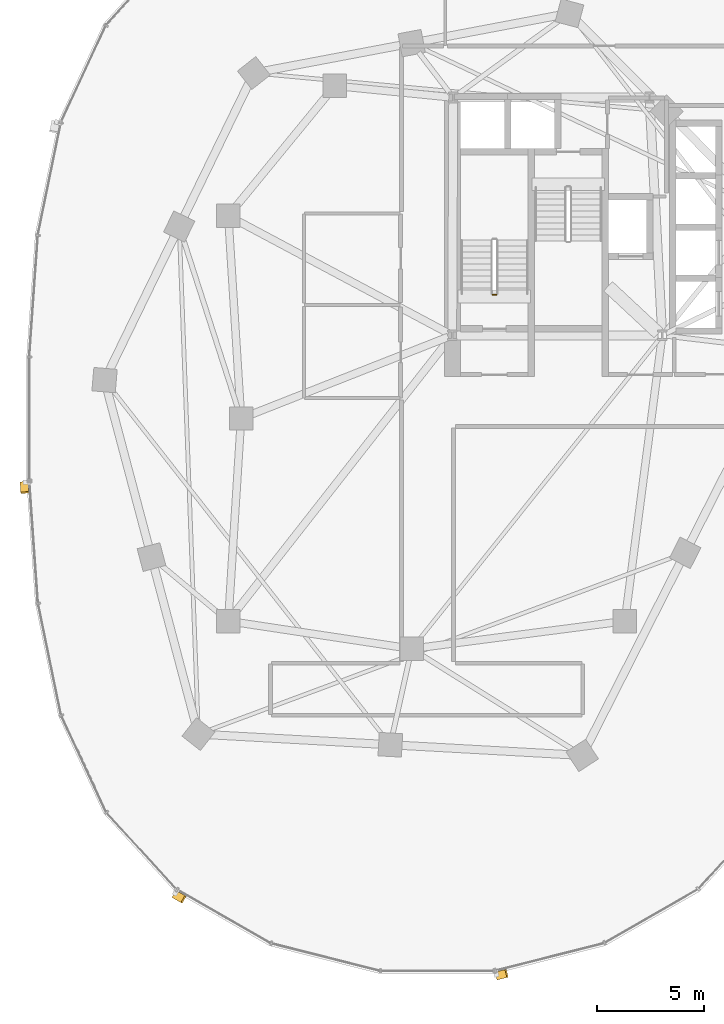
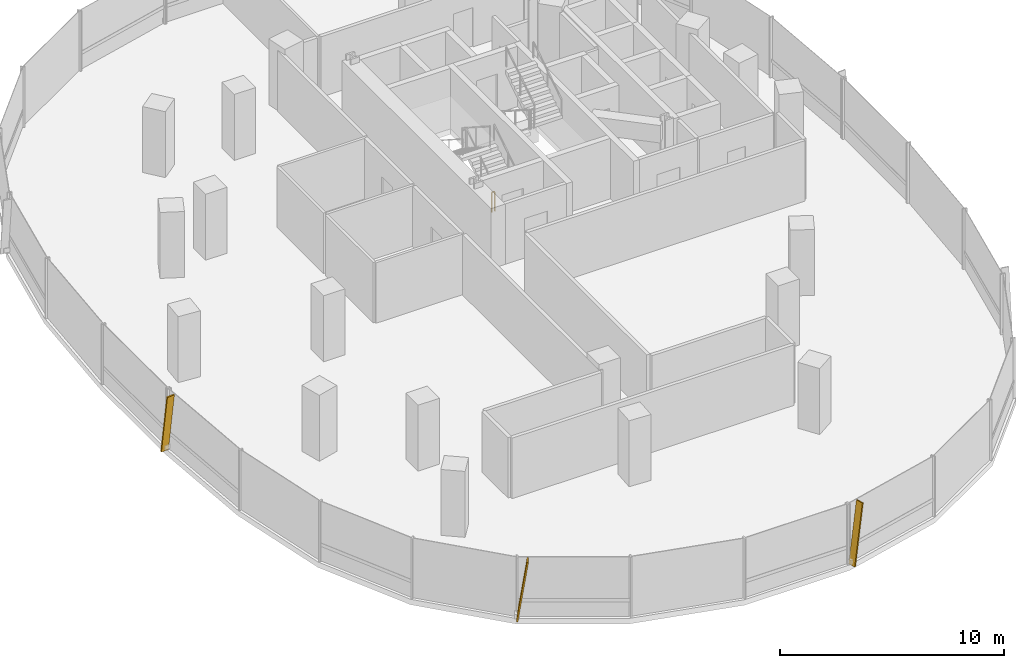
# One storey, part 16 of 20: 3 shading devices, 1 railing.
"""IFC4 building model written with IfcOpenShell, lengths in metres."""

from ifc_helpers import new_model, si_unit, direction, frame, origin, origin_2d, place, context, subcontext, project, spatial, rectangle, extrude, material, material_profile, profile_set, type_object, element, save


model = new_model("IFC4")

# Units and contexts
model_context = context("Model", 3, precision=1e-05, world=origin(), true_north=direction((0.0, 1.0)))
body_context = subcontext(model_context, "Body", "Model", "MODEL_VIEW")
ifc_project = project(units=[si_unit("LENGTHUNIT", "METRE"), si_unit("AREAUNIT", "SQUARE_METRE"), si_unit("VOLUMEUNIT", "CUBIC_METRE"), si_unit("PLANEANGLEUNIT", "RADIAN"), si_unit("MASSUNIT", "GRAM", prefix="KILO"), si_unit("THERMODYNAMICTEMPERATUREUNIT", "KELVIN"), si_unit("POWERUNIT", "WATT")], contexts=[model_context])

# Site, building, storey
site_placement = place(None, origin())
site = spatial("IfcSite", under=ifc_project, at=site_placement, CompositionType="ELEMENT")
building_placement = place(site_placement, origin())
building = spatial("IfcBuilding", under=site, at=building_placement, Name="Cundina Bronze Exchange", CompositionType="ELEMENT")
storey_placement = place(building_placement, frame((0.0, 0.0, 125.0)))
storey = spatial("IfcBuildingStorey", under=building, at=storey_placement, Name="L32", CompositionType="ELEMENT", Elevation=125.0)

# Railing
ifc_material_1 = material(Name="Steel ASTM A36 Painted", Category="steel")
railing_type = type_object("IfcRailingType", Name="RLG-STG-1100", PredefinedType="GUARDRAIL", material=ifc_material_1)
railing_placement = place(storey_placement, frame((-29.239990234375, 5.800048828125, 0.0)))
element("IfcRailing", 1, at=railing_placement, inside=storey, type_object=railing_type, Name="L32 ST-W1 stair guard 4", PredefinedType="GUARDRAIL", context=body_context, shape_type="SweptSolid", body=[
    extrude(rectangle(XDim=0.048095703125, YDim=0.048095703125, at=origin_2d()), frame((0.0, 0.0, 1.076171875), z_axis=(-1.0, 0.0, 0.0), x_axis=(0.0, -1.0, 0.0)), (0.0, 0.0, 1.0), 0.159912109375),
    extrude(rectangle(XDim=0.0419921875, YDim=0.0419921875, at=origin_2d()), origin(), (0.0, 0.0, 1.0), 1.052001953125),
    extrude(rectangle(XDim=0.0419921875, YDim=0.0419921875, at=origin_2d()), frame((-0.159912109375, 0.0, 0.0)), (0.0, 0.0, 1.0), 1.052001953125),
])

# Shading devices
ifc_material_2 = material(Name="Anodised Bronze Aluminium 6063-T6", Category="aluminium")
ifc_material_profile = material_profile(ifc_material_2, rectangle(XDim=0.070068359375, YDim=0.3798828125, at=origin_2d()), Name="FIN70X380", Category="aluminium")
ifc_profile_set = profile_set([ifc_material_profile], Name="Anodised Bronze Aluminium 6063-T6")
shading_device_type = type_object("IfcShadingDeviceType", Name="SHD-FIN-BRZ380", PredefinedType="USERDEFINED", material=ifc_profile_set)
for number, where, z_axis, x_axis, name in (
    (2, (-51.3740234375, -2.993896484375, 0.02001953125), (0.010224545828, -0.145292278041, 0.989335945271), (-0.069450050635, 0.986895284755, 0.145651595925), "L32 Diagonal Bronze Solar Fin 1"),
    (3, (-44.314208984375, -22.314208984375, 0.02001953125), (0.126324692219, -0.072534823274, 0.989333498649), (-0.857958278167, 0.492634108109, 0.145668213594), "L32 Diagonal Bronze Solar Fin 5"),
    (4, (-29.212646484375, -26.138427734375, 0.02001953125), (0.141217047268, 0.035711761166, 0.989334329575), (-0.95914051701, -0.242552848478, 0.145662570088), "L32 Diagonal Bronze Solar Fin 1"),
):
    element("IfcShadingDevice", number, at=place(storey_placement, frame(where, z_axis=z_axis, x_axis=x_axis)), inside=storey, type_object=shading_device_type, Name=name, ObjectType="FIN", PredefinedType="USERDEFINED", context=body_context, shape_type="SweptSolid", body=[
        extrude(rectangle(XDim=0.070068359375, YDim=0.3798828125, at=origin_2d()), origin(), (0.0, 0.0, 1.0), 3.295166015625),
    ])

save(model, "model.ifc")
